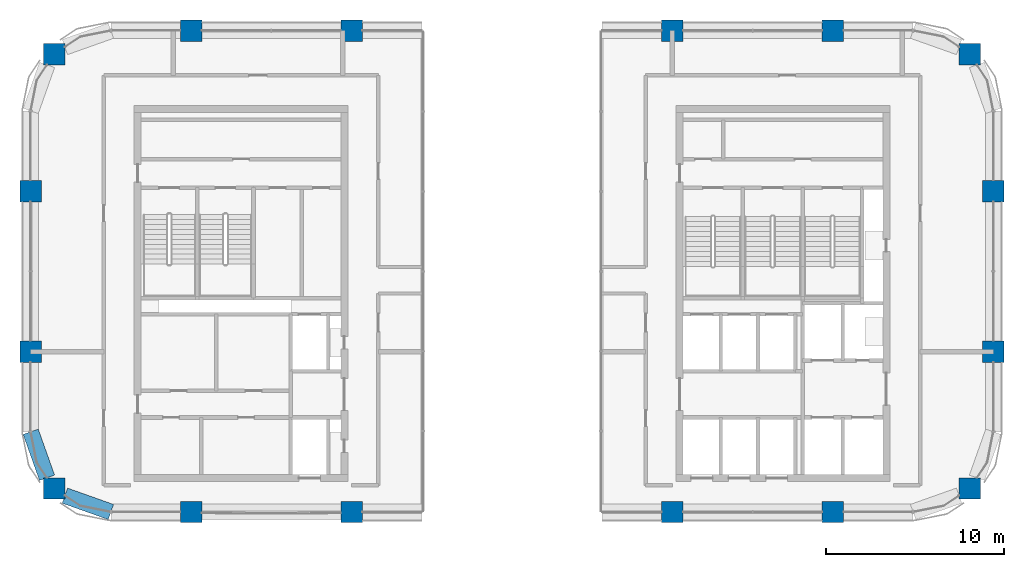
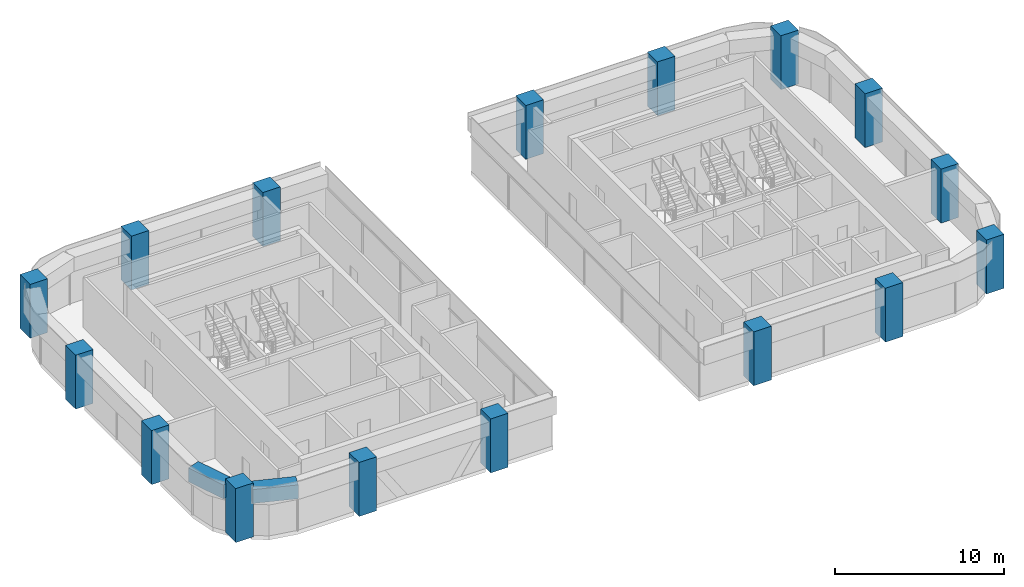
# One storey, part 1 of 11: 16 columns, 2 beams.
"""IFC4 building model written with IfcOpenShell, lengths in metres."""

from ifc_helpers import new_model, si_unit, direction, frame, origin, origin_2d, place, context, subcontext, project, spatial, rectangle, extrude, material, material_profile, profile_set, type_object, element, save


model = new_model("IFC4")

# Units and contexts
model_context = context("Model", 3, precision=1e-05, world=origin(), true_north=direction((0.0, 1.0)))
body_context = subcontext(model_context, "Body", "Model", "MODEL_VIEW")
ifc_project = project(units=[si_unit("LENGTHUNIT", "METRE"), si_unit("AREAUNIT", "SQUARE_METRE"), si_unit("VOLUMEUNIT", "CUBIC_METRE"), si_unit("PLANEANGLEUNIT", "RADIAN"), si_unit("MASSUNIT", "GRAM", prefix="KILO")], contexts=[model_context])

# Site, building, storey
site_placement = place(None, origin())
site = spatial("IfcSite", under=ifc_project, at=site_placement, CompositionType="ELEMENT")
building_placement = place(site_placement, origin())
building = spatial("IfcBuilding", under=site, at=building_placement, Name="Tessera Arch", CompositionType="ELEMENT")
storey_placement = place(building_placement, frame((0.0, 0.0, 211.10009765625)))
storey = spatial("IfcBuildingStorey", under=building, at=storey_placement, Name="L50", CompositionType="ELEMENT", Elevation=211.10009765625)

# Columns
ifc_material_1 = material(Name="Concrete C60/75", Category="concrete")
ifc_material_profile_1 = material_profile(ifc_material_1, rectangle(XDim=1.199951171875, YDim=1.199951171875, at=origin_2d()), Name="RC column 1200 x 1200 Concrete C60/75")
ifc_profile_set_1 = profile_set([ifc_material_profile_1], Name="Concrete C60/75")
column_type = type_object("IfcColumnType", Name="RC column 1200 x 1200 Concrete C60/75", PredefinedType="COLUMN", material=ifc_profile_set_1)
for number, where, z_axis, x_axis, name in (
    (1, (1.318115234375, 28.318115234375, 0.0), (0.0, 0.0, 1.0), (1.0, 0.0, 0.0), "Column C1D L50"),
    (2, (0.0, 36.0, 0.0), (0.0, 0.0, 1.0), (1.0, 0.0, 0.0), "Column C1E L50"),
    (3, (0.0, 45.0, 0.0), (0.0, 0.0, 1.0), (1.0, 0.0, 0.0), "Column C1F L50"),
    (4, (1.318115234375, 52.681884765625, 0.0), (0.0, 0.0, 1.0), (1.0, 0.0, 0.0), "Column C1G L50"),
    (5, (9.0, 27.0, 0.0), (0.0, 0.0, 1.0), (1.0, 0.0, 0.0), "Column C2D L50"),
    (6, (9.0, 54.0, 0.0), (0.0, 0.0, 1.0), (1.0, 0.0, 0.0), "Column C2G L50"),
    (7, (18.0, 27.0, 0.0), (0.0, 0.0, 1.0), (1.0, 0.0, 0.0), "Column C3D L50"),
    (8, (18.0, 54.0, 0.0), (0.0, 0.0, 1.0), (1.0, 0.0, 0.0), "Column C3G L50"),
    (9, (36.0, 27.0, 0.0), (0.0, 0.0, 1.0), (1.0, 0.0, 0.0), "Column C5D L50"),
    (10, (36.0, 54.0, 0.0), (0.0, 0.0, 1.0), (1.0, 0.0, 0.0), "Column C5G L50"),
    (11, (45.0, 27.0, 0.0), (0.0, 0.0, 1.0), (1.0, 0.0, 0.0), "Column C6D L50"),
    (12, (45.0, 54.0, 0.0), (0.0, 0.0, 1.0), (1.0, 0.0, 0.0), "Column C6G L50"),
    (13, (52.681884765625, 28.318115234375, 0.0), (0.0, 0.0, 1.0), (1.0, 0.0, 0.0), "Column C7D L50"),
    (14, (54.0, 36.0, 0.0), (0.0, 0.0, 1.0), (1.0, 0.0, 0.0), "Column C7E L50"),
    (15, (54.0, 45.0, 0.0), (0.0, 0.0, 1.0), (1.0, 0.0, 0.0), "Column C7F L50"),
    (16, (52.681884765625, 52.681884765625, 0.0), (0.0, 0.0, 1.0), (1.0, 0.0, 0.0), "Column C7G L50"),
):
    element("IfcColumn", number, at=place(storey_placement, frame(where, z_axis=z_axis, x_axis=x_axis)), inside=storey, type_object=column_type, Name=name, PredefinedType="COLUMN", context=body_context, shape_type="SweptSolid", body=[
        extrude(rectangle(XDim=1.199951171875, YDim=1.199951171875, at=origin_2d()), origin(), (0.0, 0.0, 1.0), 3.89990234375),
    ])

# Beams
ifc_material_2 = material(Name="Concrete C60/75", Category="concrete")
ifc_material_profile_2 = material_profile(ifc_material_2, rectangle(XDim=0.89990234375, YDim=1.0, at=origin_2d()), Name="RC spandrel beam 900 x 1000 Concrete C60/75")
ifc_profile_set_2 = profile_set([ifc_material_profile_2], Name="Concrete C60/75")
beam_type = type_object("IfcBeamType", Name="RC spandrel beam 900 x 1000 Concrete C60/75", PredefinedType="BEAM", material=ifc_profile_set_2)
for number, where, z_axis, x_axis, name in (
    (17, (0.0, 31.5, 3.099853515625), (0.334665114373, -0.942337127159, 0.0), (0.942337127159, 0.334665114373, 0.0), "Spandrel beam L50 W0.27/2.2"),
    (18, (1.91796875, 27.9169921875, 3.099853515625), (0.942337127159, -0.334665114373, 0.0), (0.334665114373, 0.942337127159, 0.0), "Spandrel beam L50 S27.0/2.1"),
):
    element("IfcBeam", number, at=place(storey_placement, frame(where, z_axis=z_axis, x_axis=x_axis)), inside=storey, type_object=beam_type, Name=name, PredefinedType="BEAM", context=body_context, shape_type="SweptSolid", body=[
        extrude(rectangle(XDim=0.89990234375, YDim=1.0, at=origin_2d()), origin(), (0.0, 0.0, 1.0), 2.739990234375),
    ])

save(model, "model.ifc")
